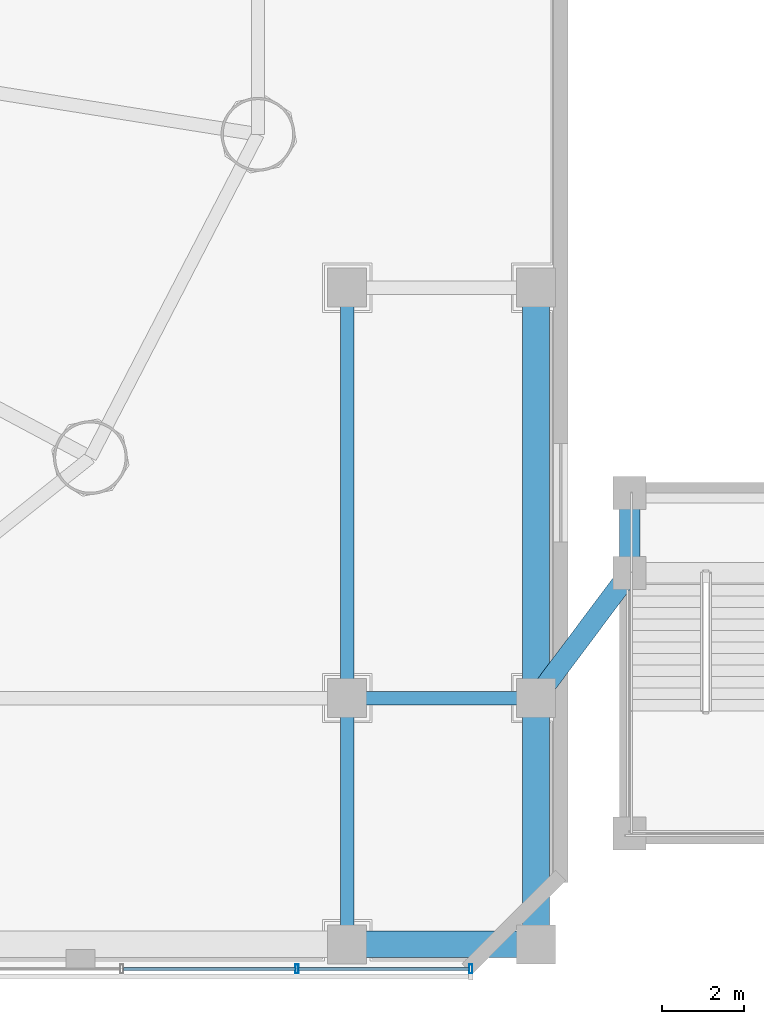
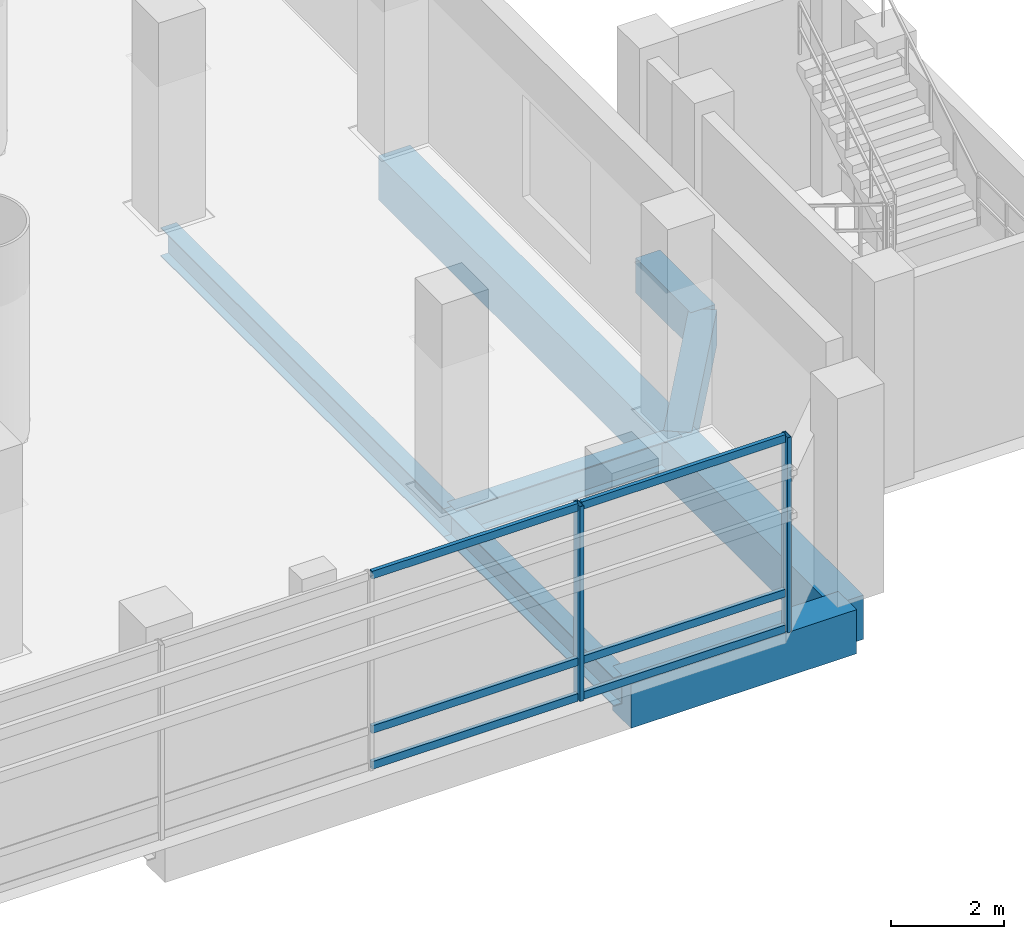
# One storey, part 16 of 36: 8 beams, 8 members, 1 element without a shape of its own.
"""IFC4 building model written with IfcOpenShell, lengths in metres."""

from ifc_helpers import new_model, si_unit, direction, frame, origin, origin_2d, place, context, subcontext, project, spatial, rectangle, hollow_rectangle, i_section, extrude, source, transform, mapped, material, material_profile, profile_set, type_object, element, aggregate, save


model = new_model("IFC4")

# Units and contexts
model_context = context("Model", 3, precision=1e-05, world=origin(), true_north=direction((-0.2419218956, 0.970295726276)))
body_context = subcontext(model_context, "Body", "Model", "MODEL_VIEW")
ifc_project = project(units=[si_unit("LENGTHUNIT", "METRE"), si_unit("AREAUNIT", "SQUARE_METRE"), si_unit("VOLUMEUNIT", "CUBIC_METRE"), si_unit("PLANEANGLEUNIT", "RADIAN"), si_unit("MASSUNIT", "GRAM", prefix="KILO")], contexts=[model_context])

# Site, building, storey
site_placement = place(None, origin())
site = spatial("IfcSite", under=ifc_project, at=site_placement, CompositionType="ELEMENT")
building_placement = place(site_placement, origin())
building = spatial("IfcBuilding", under=site, at=building_placement, Name="Cobrevalo Terracotta Tower", CompositionType="ELEMENT")
storey_placement = place(building_placement, frame((0.0, 0.0, 9.89990234375)))
storey = spatial("IfcBuildingStorey", under=building, at=storey_placement, Name="L02", CompositionType="ELEMENT", Elevation=9.89990234375)

# Beams
ifc_material_1 = material(Name="Steel S355", Category="steel")
ifc_material_profile_1 = material_profile(ifc_material_1, i_section(OverallWidth=0.324951171875, OverallDepth=0.615966796875, WebThickness=0.013916015625, FlangeThickness=0.021484375, at=origin_2d()), Name="W 610x174")
ifc_profile_set_1 = profile_set([ifc_material_profile_1], Name="Steel S355")
beam_type_1 = type_object("IfcBeamType", Name="Structural Beam W 610x174 (Steel S355)", PredefinedType="BEAM", material=ifc_profile_set_1)
beam_1_placement = place(storey_placement, frame((67.0, 2.800048828125, -0.60791015625), z_axis=(0.0, 1.0, 0.0), x_axis=(-1.0, 0.0, 0.0)))
element("IfcBeam", 1, at=beam_1_placement, inside=storey, type_object=beam_type_1, Name="L02 podium grid beam G8-GA to G8-GB", PredefinedType="BEAM", context=body_context, shape_type="SweptSolid", body=[
    extrude(i_section(OverallWidth=0.324951171875, OverallDepth=0.615966796875, WebThickness=0.013916015625, FlangeThickness=0.021484375, at=origin_2d()), origin(), (0.0, 0.0, 1.0), 6.0),
])
beam_2_placement = place(storey_placement, frame((67.0, 8.800048828125, -0.60791015625), z_axis=(0.0, 1.0, 0.0), x_axis=(-1.0, 0.0, 0.0)))
element("IfcBeam", 2, at=beam_2_placement, inside=storey, type_object=beam_type_1, Name="L02 podium grid beam G8-GB to G8-GC", PredefinedType="BEAM", context=body_context, shape_type="SweptSolid", body=[
    extrude(i_section(OverallWidth=0.324951171875, OverallDepth=0.615966796875, WebThickness=0.013916015625, FlangeThickness=0.021484375, at=origin_2d()), origin(), (0.0, 0.0, 1.0), 10.0),
])
beam_3_placement = place(storey_placement, frame((67.0, 8.800048828125, -0.60791015625), z_axis=(1.0, 0.0, 0.0), x_axis=(0.0, 1.0, 0.0)))
element("IfcBeam", 3, at=beam_3_placement, inside=storey, type_object=beam_type_1, Name="L02 podium grid beam G8-GB to G9-GB", PredefinedType="BEAM", context=body_context, shape_type="SweptSolid", body=[
    extrude(i_section(OverallWidth=0.324951171875, OverallDepth=0.615966796875, WebThickness=0.013916015625, FlangeThickness=0.021484375, at=origin_2d()), origin(), (0.0, 0.0, 1.0), 4.60009765625),
])
ifc_material_2 = material(Name="Concrete C50", Category="concrete")
ifc_material_profile_2 = material_profile(ifc_material_2, rectangle(XDim=0.64990234375, YDim=0.949951171875, at=origin_2d()), Name="RC BM 650x950")
ifc_profile_set_2 = profile_set([ifc_material_profile_2], Name="Concrete C50")
beam_type_2 = type_object("IfcBeamType", Name="Structural Spandrel RC BM 650x950 (Concrete C50)", PredefinedType="SPANDREL", material=ifc_profile_set_2)
beam_4_placement = place(storey_placement, frame((67.0, 2.800048828125, -0.77490234375), z_axis=(1.0, 0.0, 0.0), x_axis=(0.0, 1.0, 0.0)))
element("IfcBeam", 4, at=beam_4_placement, inside=storey, type_object=beam_type_2, Name="L02 podium grid beam G8-GA to G9-GA", PredefinedType="SPANDREL", context=body_context, shape_type="SweptSolid", body=[
    extrude(rectangle(XDim=0.64990234375, YDim=0.949951171875, at=origin_2d()), origin(), (0.0, 0.0, 1.0), 4.60009765625),
])
beam_5_placement = place(storey_placement, frame((71.60009765625, 2.800048828125, -0.77490234375), z_axis=(0.0, 1.0, 0.0), x_axis=(-1.0, 0.0, 0.0)))
element("IfcBeam", 5, at=beam_5_placement, inside=storey, type_object=beam_type_2, Name="L02 podium grid beam G9-GA to G9-GB", PredefinedType="SPANDREL", context=body_context, shape_type="SweptSolid", body=[
    extrude(rectangle(XDim=0.64990234375, YDim=0.949951171875, at=origin_2d()), origin(), (0.0, 0.0, 1.0), 6.0),
])
beam_6_placement = place(storey_placement, frame((71.60009765625, 8.800048828125, -0.77490234375), z_axis=(0.0, 1.0, 0.0), x_axis=(-1.0, 0.0, 0.0)))
element("IfcBeam", 6, at=beam_6_placement, inside=storey, type_object=beam_type_2, Name="L02 podium grid beam G9-GB to G9-GC", PredefinedType="SPANDREL", context=body_context, shape_type="SweptSolid", body=[
    extrude(rectangle(XDim=0.64990234375, YDim=0.949951171875, at=origin_2d()), origin(), (0.0, 0.0, 1.0), 10.0),
])
ifc_material_profile_3 = material_profile(ifc_material_2, rectangle(XDim=0.5, YDim=0.75, at=origin_2d()), Name="RC BM 500x750")
ifc_profile_set_3 = profile_set([ifc_material_profile_3], Name="Concrete C50")
beam_type_3 = type_object("IfcBeamType", Name="Structural T Beam RC BM 500x750 (Concrete C50)", PredefinedType="T_BEAM", material=ifc_profile_set_3)
beam_7_placement = place(storey_placement, frame((73.8798828125, 11.85009765625, -0.6748046875), z_axis=(0.0, 1.0, 0.0), x_axis=(-1.0, 0.0, 0.0)))
element("IfcBeam", 7, at=beam_7_placement, inside=storey, type_object=beam_type_3, Name="L02 garden stair landing side beam E1", PredefinedType="T_BEAM", context=body_context, shape_type="SweptSolid", body=[
    extrude(rectangle(XDim=0.5, YDim=0.75, at=origin_2d()), origin(), (0.0, 0.0, 1.0), 1.949951171875),
])
beam_8_placement = place(storey_placement, frame((73.8798828125, 11.85009765625, -0.6748046875), z_axis=(-0.59869640819, -0.800976036359, 0.0), x_axis=(0.800976036359, -0.59869640819, 0.0)))
element("IfcBeam", 8, at=beam_8_placement, inside=storey, type_object=beam_type_3, Name="L02 garden stair frame tie beam E1", PredefinedType="T_BEAM", context=body_context, shape_type="SweptSolid", body=[
    extrude(rectangle(XDim=0.5, YDim=0.75, at=origin_2d()), origin(), (0.0, 0.0, 1.0), 3.807861328125),
])

# Curtain wall, members
ifc_material_3 = material(Name="Anodized aluminium", Category="aluminium")
curtain_wall_type = type_object("IfcCurtainWallType", Name="Podium gallery & conservatory curtain wall CW-S2", PredefinedType="NOTDEFINED", material=ifc_material_3)
curtain_wall_placement = place(storey_placement, origin())
curtain_wall = element("IfcCurtainWall", 9, at=curtain_wall_placement, inside=storey, type_object=curtain_wall_type, Name="L02 curtain wall CW-POD-L02-S", PredefinedType="NOTDEFINED")
ifc_material_profile_4 = material_profile(ifc_material_3, hollow_rectangle(XDim=0.080078125, YDim=0.219970703125, WallThickness=0.0048828125, at=origin_2d()), Name="CWM 80x220")
ifc_profile_set_4 = profile_set([ifc_material_profile_4], Name="Anodized aluminium")
member_type_1 = type_object("IfcMemberType", Name="Storefront & atrium aluminium mullion 80x220", PredefinedType="MULLION", material=ifc_profile_set_4)
shared_shape_1 = source(origin(), body_context, "Body", "SweptSolid", [
    extrude(hollow_rectangle(XDim=0.080078125, YDim=0.219970703125, WallThickness=0.0048828125, at=origin_2d()), origin(), (0.0, 0.0, 1.0), 4.2001953125),
])
member_1_placement = place(storey_placement, frame((65.776611328125, 2.199951171875, 0.0), z_axis=(0.0, 0.0, 1.0), x_axis=(1.0, 0.0, 0.0)))
member_1 = element("IfcMember", 10, at=member_1_placement, type_object=member_type_1, Name="CW-POD-L02-S vertical mullion 15", PredefinedType="MULLION", context=body_context, shape_type="MappedRepresentation", body=[
    mapped(shared_shape_1, transform((0.0, 0.0, 0.0), scale=1.0)),
])
member_2_placement = place(storey_placement, frame((70.010009765625, 2.199951171875, 0.0), z_axis=(0.0, 0.0, 1.0), x_axis=(1.0, 0.0, 0.0)))
member_2 = element("IfcMember", 11, at=member_2_placement, type_object=member_type_1, Name="CW-POD-L02-S vertical mullion 16", PredefinedType="MULLION", context=body_context, shape_type="MappedRepresentation", body=[
    mapped(shared_shape_1, transform((0.0, 0.0, 0.0), scale=1.0)),
])
ifc_material_profile_5 = material_profile(ifc_material_3, hollow_rectangle(XDim=0.080078125, YDim=0.1650390625, WallThickness=0.00439453125, at=origin_2d()), Name="CWT 80x165")
ifc_profile_set_5 = profile_set([ifc_material_profile_5], Name="Anodized aluminium")
member_type_2 = type_object("IfcMemberType", Name="Storefront & atrium aluminium transom 80x165", PredefinedType="USERDEFINED", material=ifc_profile_set_5)
shared_shape_2 = source(origin(), body_context, "Body", "SweptSolid", [
    extrude(hollow_rectangle(XDim=0.080078125, YDim=0.1650390625, WallThickness=0.00439453125, at=origin_2d()), origin(), (0.0, 0.0, 1.0), 4.1533203125),
])
member_3_placement = place(storey_placement, frame((65.816650390625, 2.199951171875, 0.050048828125), z_axis=(1.0, 0.0, 0.0), x_axis=(0.0, 1.0, 0.0)))
member_3 = element("IfcMember", 12, at=member_3_placement, type_object=member_type_2, Name="CW-POD-L02-S transom B15-T1", ObjectType="TRANSOM", PredefinedType="USERDEFINED", context=body_context, shape_type="MappedRepresentation", body=[
    mapped(shared_shape_2, transform((0.0, 0.0, 0.0), scale=1.0)),
])
member_4_placement = place(storey_placement, frame((65.816650390625, 2.199951171875, 0.820068359375), z_axis=(1.0, 0.0, 0.0), x_axis=(0.0, 1.0, 0.0)))
member_4 = element("IfcMember", 13, at=member_4_placement, type_object=member_type_2, Name="CW-POD-L02-S transom B15-T2", ObjectType="TRANSOM", PredefinedType="USERDEFINED", context=body_context, shape_type="MappedRepresentation", body=[
    mapped(shared_shape_2, transform((0.0, 0.0, 0.0), scale=1.0)),
])
member_5_placement = place(storey_placement, frame((65.816650390625, 2.199951171875, 4.150146484375), z_axis=(1.0, 0.0, 0.0), x_axis=(0.0, 1.0, 0.0)))
member_5 = element("IfcMember", 14, at=member_5_placement, type_object=member_type_2, Name="CW-POD-L02-S transom B15-T3", ObjectType="TRANSOM", PredefinedType="USERDEFINED", context=body_context, shape_type="MappedRepresentation", body=[
    mapped(shared_shape_2, transform((0.0, 0.0, 0.0), scale=1.0)),
])
shared_shape_3 = source(origin(), body_context, "Body", "SweptSolid", [
    extrude(hollow_rectangle(XDim=0.080078125, YDim=0.1650390625, WallThickness=0.00439453125, at=origin_2d()), origin(), (0.0, 0.0, 1.0), 4.193359375),
])
member_6_placement = place(storey_placement, frame((61.543212890625, 2.199951171875, 0.050048828125), z_axis=(1.0, 0.0, 0.0), x_axis=(0.0, 1.0, 0.0)))
member_6 = element("IfcMember", 15, at=member_6_placement, type_object=member_type_2, Name="CW-POD-L02-S transom B14-T1", ObjectType="TRANSOM", PredefinedType="USERDEFINED", context=body_context, shape_type="MappedRepresentation", body=[
    mapped(shared_shape_3, transform((0.0, 0.0, 0.0), scale=1.0)),
])
member_7_placement = place(storey_placement, frame((61.543212890625, 2.199951171875, 0.820068359375), z_axis=(1.0, 0.0, 0.0), x_axis=(0.0, 1.0, 0.0)))
member_7 = element("IfcMember", 16, at=member_7_placement, type_object=member_type_2, Name="CW-POD-L02-S transom B14-T2", ObjectType="TRANSOM", PredefinedType="USERDEFINED", context=body_context, shape_type="MappedRepresentation", body=[
    mapped(shared_shape_3, transform((0.0, 0.0, 0.0), scale=1.0)),
])
member_8_placement = place(storey_placement, frame((61.543212890625, 2.199951171875, 4.150146484375), z_axis=(1.0, 0.0, 0.0), x_axis=(0.0, 1.0, 0.0)))
member_8 = element("IfcMember", 17, at=member_8_placement, type_object=member_type_2, Name="CW-POD-L02-S transom B14-T3", ObjectType="TRANSOM", PredefinedType="USERDEFINED", context=body_context, shape_type="MappedRepresentation", body=[
    mapped(shared_shape_3, transform((0.0, 0.0, 0.0), scale=1.0)),
])
aggregate(curtain_wall, [member_1, member_2, member_6, member_7, member_8, member_3, member_4, member_5])

save(model, "model.ifc")
